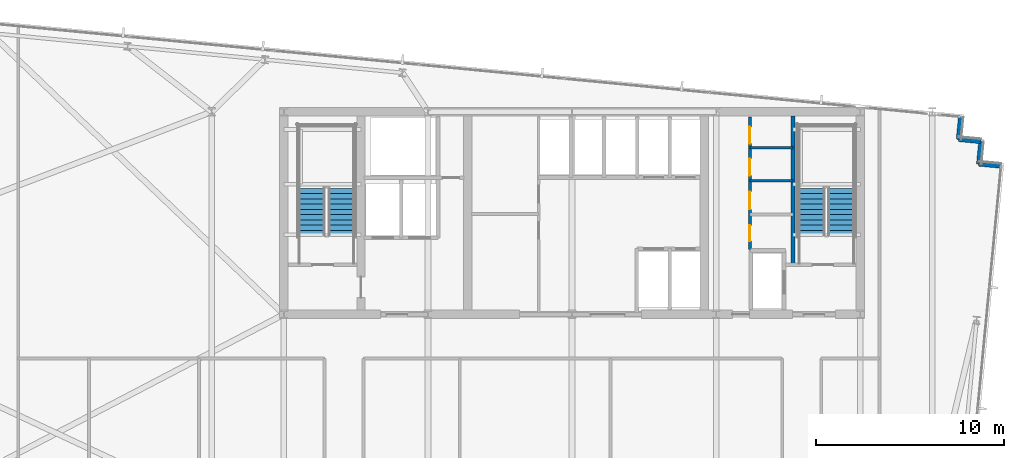
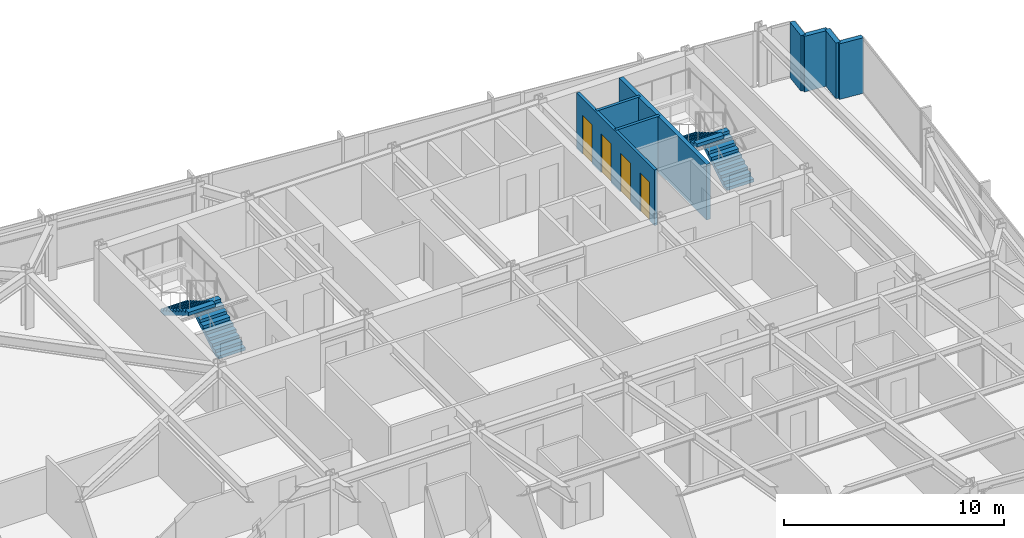
# One storey, part 32 of 37: 8 walls, 4 doors, 4 stair flights, 4 openings, 2 elements without a shape of their own.
"""IFC4 building model written with IfcOpenShell, lengths in metres."""

from ifc_helpers import new_model, si_unit, direction, frame, frame_2d, origin, place, context, subcontext, project, spatial, polyline, rectangle, outline, extrude, material, layer, layer_set, type_object, element, fill, aggregate, save


model = new_model("IFC4")

# Units and contexts
model_context = context("Model", 3, precision=1e-05, world=origin(), true_north=direction((0.0, 1.0)))
body_context = subcontext(model_context, "Body", "Model", "MODEL_VIEW")
ifc_project = project(units=[si_unit("LENGTHUNIT", "METRE"), si_unit("AREAUNIT", "SQUARE_METRE"), si_unit("VOLUMEUNIT", "CUBIC_METRE"), si_unit("PLANEANGLEUNIT", "RADIAN"), si_unit("MASSUNIT", "GRAM", prefix="KILO")], contexts=[model_context])

# Site, building, storey
site_placement = place(None, origin())
site = spatial("IfcSite", under=ifc_project, at=site_placement, CompositionType="ELEMENT")
building_placement = place(site_placement, origin())
building = spatial("IfcBuilding", under=site, at=building_placement, Name="Yelkora Congress Tower", CompositionType="ELEMENT")
storey_placement = place(building_placement, frame((0.0, 0.0, 158.89990234375)))
storey = spatial("IfcBuildingStorey", under=building, at=storey_placement, Name="L43", CompositionType="ELEMENT", Elevation=158.89990234375)

# Walls
ifc_material_1 = material(Name="Concrete C50/60", Category="concrete")
ifc_layer_1 = layer(ifc_material_1, 0.219970703125)
ifc_layer_set_1 = layer_set([ifc_layer_1], Name="Concrete C50/60")
wall_type_1 = type_object("IfcWallType", Name="WALL-CORE-INT-220", PredefinedType="SHEAR", material=ifc_layer_set_1)
wall_1_placement = place(storey_placement, frame((50.179931640625, 38.050048828125, 0.0), z_axis=(0.0, 0.0, 1.0), x_axis=(0.0, 1.0, 0.0)))
element("IfcWall", 1, at=wall_1_placement, inside=storey, type_object=wall_type_1, Name="L43 ST02 West Stair Shear Wall", PredefinedType="SHEAR", context=body_context, shape_type="SweptSolid", body=[
    extrude(rectangle(XDim=7.925048828125, YDim=0.219970703125, at=frame_2d((3.96240234375, 0.0))), origin(), (0.0, 0.0, 1.0), 3.080078125),
])
ifc_material_2 = material(Name="Concrete C40/50", Category="concrete")
ifc_layer_2 = layer(ifc_material_2, 0.239990234375)
ifc_layer_set_2 = layer_set([ifc_layer_2], Name="Concrete C40/50")
wall_type_2 = type_object("IfcWallType", Name="WALL-EXT-LIMESTONE-240", PredefinedType="SOLIDWALL", material=ifc_layer_set_2)
for number, where, z_axis, x_axis, name in (
    (2, (59.108642578125, 45.923095703125, 0.0), (0.0, 0.0, 1.0), (-0.095817067274, -0.995398960025, 0.0), "L43 Serrated Corner Limestone Pier 11"),
    (3, (58.99365234375, 44.728515625, 0.0), (0.0, 0.0, 1.0), (0.995398960025, -0.095817067274, 0.0), "L43 Serrated Corner Limestone Pier 12"),
    (4, (60.188232421875, 44.613525390625, 0.0), (0.0, 0.0, 1.0), (-0.096018626938, -0.995379537303, 0.0), "L43 Serrated Corner Limestone Pier 13"),
    (5, (60.072998046875, 43.4189453125, 0.0), (0.0, 0.0, 1.0), (0.995398960025, -0.095817067274, 0.0), "L43 Serrated Corner Limestone Pier 14"),
):
    element("IfcWall", number, at=place(storey_placement, frame(where, z_axis=z_axis, x_axis=x_axis)), inside=storey, type_object=wall_type_2, Name=name, PredefinedType="SOLIDWALL", context=body_context, shape_type="SweptSolid", body=[
        extrude(rectangle(XDim=1.2001953125, YDim=0.239990234375, at=frame_2d((0.60009765625, 0.0))), origin(), (0.0, 0.0, 1.0), 3.080078125),
    ])
ifc_material_3 = material(Name="Acoustic metal-stud gypsum partition", Category="gypsum")
ifc_layer_3 = layer(ifc_material_3, 0.14990234375)
ifc_layer_set_3 = layer_set([ifc_layer_3], Name="Acoustic metal-stud gypsum partition")
wall_type_3 = type_object("IfcWallType", Name="WALL-INT-150-NR", PredefinedType="PARTITIONING", material=ifc_layer_set_3)
for number, where, z_axis, x_axis, name in (
    (6, (47.8798828125, 42.52001953125, 0.0), (0.0, 0.0, 1.0), (1.0, 0.0, 0.0), "L43 Partition Wall 25"),
    (7, (47.8798828125, 44.280029296875, 0.0), (0.0, 0.0, 1.0), (1.0, 0.0, 0.0), "L43 Partition Wall 26"),
):
    element("IfcWall", number, at=place(storey_placement, frame(where, z_axis=z_axis, x_axis=x_axis)), inside=storey, type_object=wall_type_3, Name=name, PredefinedType="PARTITIONING", context=body_context, shape_type="SweptSolid", body=[
        extrude(rectangle(XDim=2.300048828125, YDim=0.14990234375, at=frame_2d((1.14990234375, 0.0))), origin(), (0.0, 0.0, 1.0), 3.080078125),
    ])

# Wall, openings, doors
wall_2_placement = place(storey_placement, frame((47.8798828125, 38.85009765625, 0.0), z_axis=(0.0, 0.0, 1.0), x_axis=(0.0, 1.0, 0.0)))
wall_2 = element("IfcWall", 8, at=wall_2_placement, inside=storey, type_object=wall_type_3, Name="L43 Partition Wall 27", PredefinedType="PARTITIONING", context=body_context, shape_type="SweptSolid", body=[
    extrude(rectangle(XDim=7.06982421875, YDim=0.14990234375, at=frame_2d((3.534912109375, 0.0))), origin(), (0.0, 0.0, 1.0), 3.080078125),
])
opening_1_placement = place(wall_2_placement, frame((0.449951171875, 0.0, 0.0)))
opening_1 = element("IfcOpeningElement", 9, at=opening_1_placement, cuts=wall_2, Name="Opening DR-085N", PredefinedType="OPENING", context=body_context, shape_type="SweptSolid", body=[
    extrude(rectangle(XDim=0.85009765625, YDim=2.14990234375, at=frame_2d((0.425048828125, 1.074951171875))), frame((0.0, 0.0849609375, 0.0), z_axis=(0.0, -1.0, 0.0), x_axis=(1.0, 0.0, 0.0)), (0.0, 0.0, 1.0), 0.169921875),
])
opening_2_placement = place(wall_2_placement, frame((2.14990234375, 0.0, 0.0)))
opening_2 = element("IfcOpeningElement", 10, at=opening_2_placement, cuts=wall_2, Name="Opening DR-095N", PredefinedType="OPENING", context=body_context, shape_type="SweptSolid", body=[
    extrude(rectangle(XDim=0.949951171875, YDim=2.14990234375, at=frame_2d((0.47509765625, 1.074951171875))), frame((0.0, 0.0849609375, 0.0), z_axis=(0.0, -1.0, 0.0), x_axis=(1.0, 0.0, 0.0)), (0.0, 0.0, 1.0), 0.169921875),
])
opening_3_placement = place(wall_2_placement, frame((3.949951171875, 0.0, 0.0)))
opening_3 = element("IfcOpeningElement", 11, at=opening_3_placement, cuts=wall_2, Name="Opening DR-090N", PredefinedType="OPENING", context=body_context, shape_type="SweptSolid", body=[
    extrude(rectangle(XDim=0.89990234375, YDim=2.14990234375, at=frame_2d((0.449951171875, 1.074951171875))), frame((0.0, 0.0849609375, 0.0), z_axis=(0.0, -1.0, 0.0), x_axis=(1.0, 0.0, 0.0)), (0.0, 0.0, 1.0), 0.169921875),
])
opening_4_placement = place(wall_2_placement, frame((5.64990234375, 0.0, 0.0)))
opening_4 = element("IfcOpeningElement", 12, at=opening_4_placement, cuts=wall_2, Name="Opening DR-090N", PredefinedType="OPENING", context=body_context, shape_type="SweptSolid", body=[
    extrude(rectangle(XDim=0.89990234375, YDim=2.14990234375, at=frame_2d((0.449951171875, 1.074951171875))), frame((0.0, 0.0849609375, 0.0), z_axis=(0.0, -1.0, 0.0), x_axis=(1.0, 0.0, 0.0)), (0.0, 0.0, 1.0), 0.169921875),
])
ifc_material_4 = material(Name="Laminate service store door leaf", Category="wood")
door_type_1 = type_object("IfcDoorType", Name="DOOR-INT-850", OperationType="NOTDEFINED", PredefinedType="DOOR", material=ifc_material_4)
door_1_placement = place(opening_1_placement, origin())
door_1 = element("IfcDoor", 13, at=door_1_placement, inside=storey, type_object=door_type_1, Name="L43 Janitor Room Door", OperationType="SINGLE_SWING_RIGHT", OverallHeight=2.14990234375, OverallWidth=0.85009765625, PredefinedType="DOOR", context=body_context, shape_type="SweptSolid", body=[
    extrude(rectangle(XDim=0.85009765625, YDim=2.14990234375, at=frame_2d((0.425048828125, 1.074951171875))), frame((0.0, 0.02490234375, 0.0), z_axis=(0.0, -1.0, 0.0), x_axis=(1.0, 0.0, 0.0)), (0.0, 0.0, 1.0), 0.050048828125),
])
fill(opening_1, door_1)
ifc_material_5 = material(Name="Moisture-resistant laminate door leaf", Category="wood")
door_type_2 = type_object("IfcDoorType", Name="DOOR-INT-900", OperationType="NOTDEFINED", PredefinedType="DOOR", material=ifc_material_5)
door_2_placement = place(opening_3_placement, origin())
door_2 = element("IfcDoor", 14, at=door_2_placement, inside=storey, type_object=door_type_2, Name="L43 Male WC Door", OperationType="SINGLE_SWING_RIGHT", OverallHeight=2.14990234375, OverallWidth=0.89990234375, PredefinedType="DOOR", context=body_context, shape_type="SweptSolid", body=[
    extrude(rectangle(XDim=0.89990234375, YDim=2.14990234375, at=frame_2d((0.449951171875, 1.074951171875))), frame((0.0, 0.02490234375, 0.0), z_axis=(0.0, -1.0, 0.0), x_axis=(1.0, 0.0, 0.0)), (0.0, 0.0, 1.0), 0.050048828125),
])
fill(opening_3, door_2)
door_3_placement = place(opening_4_placement, origin())
door_3 = element("IfcDoor", 15, at=door_3_placement, inside=storey, type_object=door_type_2, Name="L43 Female WC Door", OperationType="SINGLE_SWING_LEFT", OverallHeight=2.14990234375, OverallWidth=0.89990234375, PredefinedType="DOOR", context=body_context, shape_type="SweptSolid", body=[
    extrude(rectangle(XDim=0.89990234375, YDim=2.14990234375, at=frame_2d((0.449951171875, 1.074951171875))), frame((0.0, 0.02490234375, 0.0), z_axis=(0.0, -1.0, 0.0), x_axis=(1.0, 0.0, 0.0)), (0.0, 0.0, 1.0), 0.050048828125),
])
fill(opening_4, door_3)
ifc_material_6 = material(Name="Acoustic laminated timber office door", Category="wood")
door_type_3 = type_object("IfcDoorType", Name="DOOR-INT-950", OperationType="NOTDEFINED", PredefinedType="DOOR", material=ifc_material_6)
door_4_placement = place(opening_2_placement, origin())
door_4 = element("IfcDoor", 16, at=door_4_placement, inside=storey, type_object=door_type_3, Name="L43 Accessible WC Door", OperationType="SINGLE_SWING_LEFT", OverallHeight=2.14990234375, OverallWidth=0.949951171875, PredefinedType="DOOR", context=body_context, shape_type="SweptSolid", body=[
    extrude(rectangle(XDim=0.949951171875, YDim=2.14990234375, at=frame_2d((0.47509765625, 1.074951171875))), frame((0.0, 0.02490234375, 0.0), z_axis=(0.0, -1.0, 0.0), x_axis=(1.0, 0.0, 0.0)), (0.0, 0.0, 1.0), 0.050048828125),
])
fill(opening_2, door_4)

# Stair, stair flights
stair_type = type_object("IfcStairType", Name="STAIR-HT-1420-R20-165", PredefinedType="HALF_TURN_STAIR", material=ifc_material_2)
stair_1_placement = place(storey_placement, origin())
stair_1 = element("IfcStair", 17, at=stair_1_placement, inside=storey, type_object=stair_type, Name="West Core Protected Exit Stair ST-01 (L43)", PredefinedType="HALF_TURN_STAIR")
stair_flight_type = type_object("IfcStairFlightType", Name="FLIGHT-1420-N10-R165-G280", PredefinedType="STRAIGHT", material=ifc_material_2)
stair_flight_1_placement = place(storey_placement, frame((26.110107421875, 39.60009765625, 0.0), z_axis=(0.0, 0.0, 1.0), x_axis=(0.0, 1.0, 0.0)))
stair_flight_1 = element("IfcStairFlight", 18, at=stair_flight_1_placement, type_object=stair_flight_type, Name="ST-01 L43 Flight 1", NumberOfRisers=10, NumberOfTreads=9, PredefinedType="STRAIGHT", RiserHeight=0.165, TreadLength=0.28, context=body_context, shape_type="SweptSolid", body=[
    extrude(outline(polyline([(0.0, 0.0), (0.0, 0.1650390625), (0.280029296875, 0.1650390625), (0.280029296875, 0.330078125), (0.56005859375, 0.330078125), (0.56005859375, 0.4951171875), (0.840087890625, 0.4951171875), (0.840087890625, 0.659912109375), (1.1201171875, 0.659912109375), (1.1201171875, 0.824951171875), (1.39990234375, 0.824951171875), (1.39990234375, 0.989990234375), (1.679931640625, 0.989990234375), (1.679931640625, 1.155029296875), (1.9599609375, 1.155029296875), (1.9599609375, 1.320068359375), (2.239990234375, 1.320068359375), (2.239990234375, 1.485107421875), (2.52001953125, 1.485107421875), (2.52001953125, 1.64990234375), (2.52001953125, 1.29931640625), (0.31494140625, 0.0), (0.0, 0.0)])), frame((0.0, 0.7099609375, 0.0), z_axis=(0.0, -1.0, 0.0), x_axis=(1.0, 0.0, 0.0)), (0.0, 0.0, 1.0), 1.419921875),
])
stair_flight_2_placement = place(storey_placement, frame((24.530029296875, 42.1201171875, 1.650146484375), z_axis=(0.0, 0.0, 1.0), x_axis=(0.0, -1.0, 0.0)))
stair_flight_2 = element("IfcStairFlight", 19, at=stair_flight_2_placement, type_object=stair_flight_type, Name="ST-01 L43 Flight 2", NumberOfRisers=10, NumberOfTreads=9, PredefinedType="STRAIGHT", RiserHeight=0.165, TreadLength=0.28, context=body_context, shape_type="SweptSolid", body=[
    extrude(outline(polyline([(0.0, 0.0), (0.0, 0.1650390625), (0.280029296875, 0.1650390625), (0.280029296875, 0.330078125), (0.56005859375, 0.330078125), (0.56005859375, 0.4951171875), (0.840087890625, 0.4951171875), (0.840087890625, 0.659912109375), (1.1201171875, 0.659912109375), (1.1201171875, 0.824951171875), (1.39990234375, 0.824951171875), (1.39990234375, 0.989990234375), (1.679931640625, 0.989990234375), (1.679931640625, 1.155029296875), (1.9599609375, 1.155029296875), (1.9599609375, 1.320068359375), (2.239990234375, 1.320068359375), (2.239990234375, 1.485107421875), (2.52001953125, 1.485107421875), (2.52001953125, 1.64990234375), (2.52001953125, 1.29931640625), (0.31494140625, 0.0), (0.0, 0.0)])), frame((0.0, 0.7099609375, 0.0), z_axis=(0.0, -1.0, 0.0), x_axis=(1.0, 0.0, 0.0)), (0.0, 0.0, 1.0), 1.419921875),
])
aggregate(stair_1, [stair_flight_1, stair_flight_2])

stair_2_placement = place(storey_placement, origin())
stair_2 = element("IfcStair", 20, at=stair_2_placement, inside=storey, type_object=stair_type, Name="East Core Protected Exit Stair ST-02 (L43)", PredefinedType="HALF_TURN_STAIR")
stair_flight_3_placement = place(storey_placement, frame((52.75, 39.60009765625, 0.0), z_axis=(0.0, 0.0, 1.0), x_axis=(0.0, 1.0, 0.0)))
stair_flight_3 = element("IfcStairFlight", 21, at=stair_flight_3_placement, type_object=stair_flight_type, Name="ST-02 L43 Flight 1", NumberOfRisers=10, NumberOfTreads=9, PredefinedType="STRAIGHT", RiserHeight=0.165, TreadLength=0.28, context=body_context, shape_type="SweptSolid", body=[
    extrude(outline(polyline([(0.0, 0.0), (0.0, 0.1650390625), (0.280029296875, 0.1650390625), (0.280029296875, 0.330078125), (0.56005859375, 0.330078125), (0.56005859375, 0.4951171875), (0.840087890625, 0.4951171875), (0.840087890625, 0.659912109375), (1.1201171875, 0.659912109375), (1.1201171875, 0.824951171875), (1.39990234375, 0.824951171875), (1.39990234375, 0.989990234375), (1.679931640625, 0.989990234375), (1.679931640625, 1.155029296875), (1.9599609375, 1.155029296875), (1.9599609375, 1.320068359375), (2.239990234375, 1.320068359375), (2.239990234375, 1.485107421875), (2.52001953125, 1.485107421875), (2.52001953125, 1.64990234375), (2.52001953125, 1.29931640625), (0.31494140625, 0.0), (0.0, 0.0)])), frame((0.0, 0.7099609375, 0.0), z_axis=(0.0, -1.0, 0.0), x_axis=(1.0, 0.0, 0.0)), (0.0, 0.0, 1.0), 1.419921875),
])
stair_flight_4_placement = place(storey_placement, frame((51.169921875, 42.1201171875, 1.650146484375), z_axis=(0.0, 0.0, 1.0), x_axis=(0.0, -1.0, 0.0)))
stair_flight_4 = element("IfcStairFlight", 22, at=stair_flight_4_placement, type_object=stair_flight_type, Name="ST-02 L43 Flight 2", NumberOfRisers=10, NumberOfTreads=9, PredefinedType="STRAIGHT", RiserHeight=0.165, TreadLength=0.28, context=body_context, shape_type="SweptSolid", body=[
    extrude(outline(polyline([(0.0, 0.0), (0.0, 0.1650390625), (0.280029296875, 0.1650390625), (0.280029296875, 0.330078125), (0.56005859375, 0.330078125), (0.56005859375, 0.4951171875), (0.840087890625, 0.4951171875), (0.840087890625, 0.659912109375), (1.1201171875, 0.659912109375), (1.1201171875, 0.824951171875), (1.39990234375, 0.824951171875), (1.39990234375, 0.989990234375), (1.679931640625, 0.989990234375), (1.679931640625, 1.155029296875), (1.9599609375, 1.155029296875), (1.9599609375, 1.320068359375), (2.239990234375, 1.320068359375), (2.239990234375, 1.485107421875), (2.52001953125, 1.485107421875), (2.52001953125, 1.64990234375), (2.52001953125, 1.29931640625), (0.31494140625, 0.0), (0.0, 0.0)])), frame((0.0, 0.7099609375, 0.0), z_axis=(0.0, -1.0, 0.0), x_axis=(1.0, 0.0, 0.0)), (0.0, 0.0, 1.0), 1.419921875),
])
aggregate(stair_2, [stair_flight_3, stair_flight_4])

save(model, "model.ifc")
